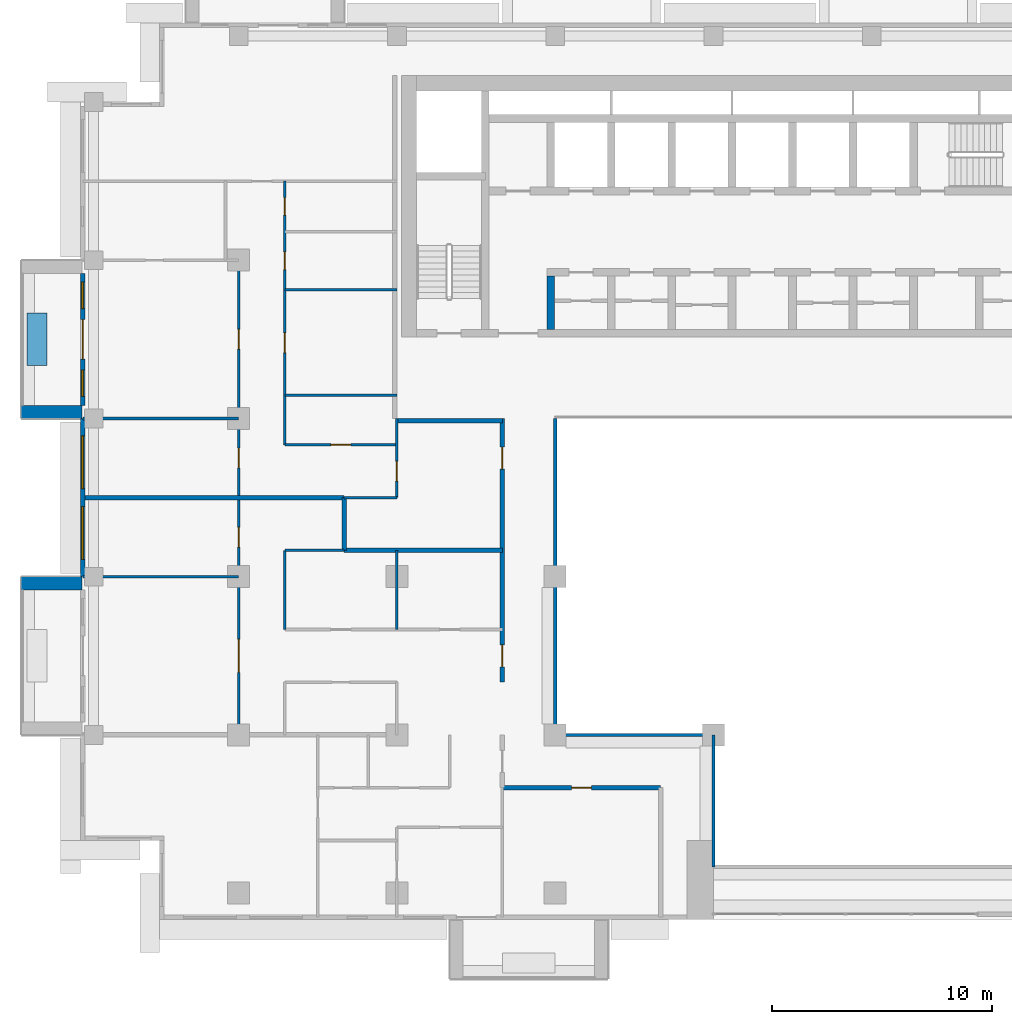
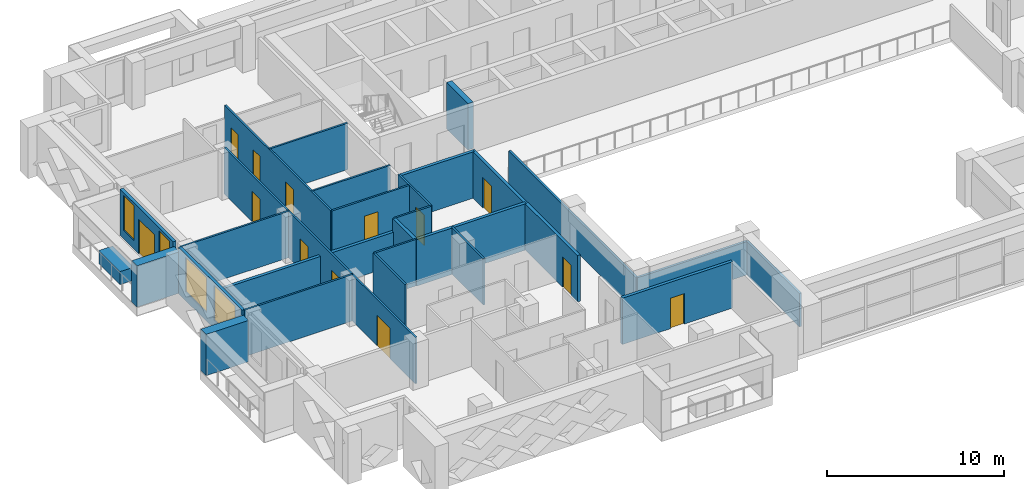
# One storey, part 7 of 20: 27 walls, 13 doors, 4 windows, 17 openings.
"""IFC4 building model written with IfcOpenShell, lengths in metres."""

from ifc_helpers import new_model, si_unit, direction, frame, frame_2d, origin, place, context, subcontext, project, spatial, rectangle, extrude, material, layer, layer_set, type_object, element, fill, save


model = new_model("IFC4")

# Units and contexts
model_context = context("Model", 3, precision=1e-05, world=origin(), true_north=direction((0.0, 1.0)))
body_context = subcontext(model_context, "Body", "Model", "MODEL_VIEW")
ifc_project = project(units=[si_unit("LENGTHUNIT", "METRE"), si_unit("AREAUNIT", "SQUARE_METRE"), si_unit("VOLUMEUNIT", "CUBIC_METRE"), si_unit("PLANEANGLEUNIT", "RADIAN"), si_unit("MASSUNIT", "GRAM", prefix="KILO")], contexts=[model_context])

# Site, building, storey
site_placement = place(None, origin())
site = spatial("IfcSite", under=ifc_project, at=site_placement, CompositionType="ELEMENT")
building_placement = place(site_placement, origin())
building = spatial("IfcBuilding", under=site, at=building_placement, Name="Saffron Iwan Residences", CompositionType="ELEMENT")
storey_placement = place(building_placement, frame((0.0, 0.0, 153.5)))
storey = spatial("IfcBuildingStorey", under=building, at=storey_placement, Name="L40", CompositionType="ELEMENT", Elevation=153.5)

# Walls
ifc_material_1 = material(Name="Fire-rated glazing", Category="glass")
ifc_layer_1 = layer(ifc_material_1, 0.14990234375)
ifc_layer_set_1 = layer_set([ifc_layer_1], Name="Fire-rated glazing")
wall_type_1 = type_object("IfcWallType", Name="Atrium glazed screen 150", PredefinedType="SOLIDWALL", material=ifc_layer_set_1)
wall_1_placement = place(storey_placement, frame((36.0, 48.0, 0.0), z_axis=(0.0, 0.0, 1.0), x_axis=(1.0, 0.0, 0.0)))
element("IfcWall", 1, at=wall_1_placement, inside=storey, type_object=wall_type_1, Name="W-L40-SCREEN-h48-36", PredefinedType="SOLIDWALL", context=body_context, shape_type="SweptSolid", body=[
    extrude(rectangle(XDim=7.199951171875, YDim=0.14990234375, at=frame_2d((3.60009765625, 0.0))), origin(), (0.0, 0.0, 1.0), 2.300048828125),
])
wall_2_placement = place(storey_placement, frame((36.0, 48.0, 0.0), z_axis=(0.0, 0.0, 1.0), x_axis=(0.0, 1.0, 0.0)))
element("IfcWall", 2, at=wall_2_placement, inside=storey, type_object=wall_type_1, Name="W-L40-SCREEN-v36-48", PredefinedType="SOLIDWALL", context=body_context, shape_type="SweptSolid", body=[
    extrude(rectangle(XDim=14.39990234375, YDim=0.14990234375, at=frame_2d((7.199951171875, 0.0))), origin(), (0.0, 0.0, 1.0), 2.300048828125),
])
wall_3_placement = place(storey_placement, frame((43.199951171875, 42.0, 0.0), z_axis=(0.0, 0.0, 1.0), x_axis=(0.0, 1.0, 0.0)))
element("IfcWall", 3, at=wall_3_placement, inside=storey, type_object=wall_type_1, Name="W-L40-SCREEN-v43.2-42", PredefinedType="SOLIDWALL", context=body_context, shape_type="SweptSolid", body=[
    extrude(rectangle(XDim=6.0, YDim=0.14990234375, at=frame_2d((3.0, 0.0))), origin(), (0.0, 0.0, 1.0), 2.300048828125),
])
ifc_material_2 = material(Name="Concrete C50/60 white painted", Category="concrete")
ifc_layer_2 = layer(ifc_material_2, 0.60009765625)
ifc_layer_set_2 = layer_set([ifc_layer_2], Name="Concrete C50/60 white painted")
wall_type_2 = type_object("IfcWallType", Name="BALCONY FIN 600", PredefinedType="SOLIDWALL", material=ifc_layer_set_2)
for number, where, z_axis, x_axis, name in (
    (4, (14.47509765625, 62.699951171875, 0.0), (0.0, 0.0, 1.0), (-1.0, 0.0, 0.0), "Balcony fin L40 F8-0b"),
    (5, (14.47509765625, 54.89990234375, 0.0), (0.0, 0.0, 1.0), (-1.0, 0.0, 0.0), "Balcony fin L40 F8-1a"),
):
    element("IfcWall", number, at=place(storey_placement, frame(where, z_axis=z_axis, x_axis=x_axis)), inside=storey, type_object=wall_type_2, Name=name, PredefinedType="SOLIDWALL", context=body_context, shape_type="SweptSolid", body=[
        extrude(rectangle(XDim=2.775146484375, YDim=0.60009765625, at=frame_2d((1.3876953125, 0.0))), origin(), (0.0, 0.0, 1.0), 2.85009765625),
    ])
ifc_material_3 = material(Name="Concrete C35/45 white painted", Category="concrete")
ifc_layer_3 = layer(ifc_material_3, 0.14990234375)
ifc_layer_set_3 = layer_set([ifc_layer_3], Name="Concrete C35/45 white painted")
wall_type_3 = type_object("IfcWallType", Name="BALCONY PLANTER", PredefinedType="SOLIDWALL", material=ifc_layer_set_3)
wall_4_placement = place(storey_placement, frame((12.425048828125, 67.199951171875, 0.0), z_axis=(0.0, 0.0, 1.0), x_axis=(0.0, -1.0, 0.0)))
element("IfcWall", 6, at=wall_4_placement, inside=storey, type_object=wall_type_3, Name="PLANTER L40 F8-0", PredefinedType="SOLIDWALL", context=body_context, shape_type="SweptSolid", body=[
    extrude(rectangle(XDim=2.39990234375, YDim=0.89990234375, at=frame_2d((1.199951171875, 0.0))), origin(), (0.0, 0.0, 1.0), 0.89990234375),
])

# Wall, openings, door, windows
ifc_material_4 = material(Name="Concrete C40/50", Category="concrete")
ifc_layer_4 = layer(ifc_material_4, 0.199951171875)
ifc_layer_set_4 = layer_set([ifc_layer_4], Name="Concrete C40/50")
wall_type_4 = type_object("IfcWallType", Name="EXTERNAL WALL 200", PredefinedType="SOLIDWALL", material=ifc_layer_set_4)
wall_5_placement = place(storey_placement, frame((14.5, 69.0, 0.0), z_axis=(0.0, 0.0, 1.0), x_axis=(0.0, -1.0, 0.0)))
wall_5 = element("IfcWall", 7, at=wall_5_placement, inside=storey, type_object=wall_type_4, Name="External wall L40 F8.1", PredefinedType="SOLIDWALL", context=body_context, shape_type="SweptSolid", body=[
    extrude(rectangle(XDim=6.0, YDim=0.199951171875, at=frame_2d((3.0, 0.0))), origin(), (0.0, 0.0, 1.0), 3.199951171875),
])
opening_1_placement = place(wall_5_placement, frame((2.10009765625, 0.0, 0.0)))
opening_1 = element("IfcOpeningElement", 8, at=opening_1_placement, cuts=wall_5, Name="Opening BD1", PredefinedType="OPENING", context=body_context, shape_type="SweptSolid", body=[
    extrude(rectangle(XDim=1.800048828125, YDim=2.39990234375, at=frame_2d((0.89990234375, 1.199951171875))), frame((0.0, 0.10986328125, 0.0), z_axis=(0.0, -1.0, 0.0), x_axis=(1.0, 0.0, 0.0)), (0.0, 0.0, 1.0), 0.219970703125),
])
opening_2_placement = place(wall_5_placement, frame((0.39990234375, 0.0, 0.60009765625)))
opening_2 = element("IfcOpeningElement", 9, at=opening_2_placement, cuts=wall_5, Name="Opening W3", PredefinedType="OPENING", context=body_context, shape_type="SweptSolid", body=[
    extrude(rectangle(XDim=1.199951171875, YDim=2.39990234375, at=frame_2d((0.60009765625, 1.199951171875))), frame((0.0, 0.10986328125, 0.0), z_axis=(0.0, -1.0, 0.0), x_axis=(1.0, 0.0, 0.0)), (0.0, 0.0, 1.0), 0.219970703125),
])
opening_3_placement = place(wall_5_placement, frame((4.39990234375, 0.0, 0.60009765625)))
opening_3 = element("IfcOpeningElement", 10, at=opening_3_placement, cuts=wall_5, Name="Opening W3", PredefinedType="OPENING", context=body_context, shape_type="SweptSolid", body=[
    extrude(rectangle(XDim=1.199951171875, YDim=2.39990234375, at=frame_2d((0.60009765625, 1.199951171875))), frame((0.0, 0.10986328125, 0.0), z_axis=(0.0, -1.0, 0.0), x_axis=(1.0, 0.0, 0.0)), (0.0, 0.0, 1.0), 0.219970703125),
])
ifc_material_5 = material(Name="Clear glass, laminated double glazed", Category="glass")
door_type_1 = type_object("IfcDoorType", Name="BALCONY DOOR 1800 x 2400", OperationType="DOUBLE_DOOR_SLIDING", PredefinedType="DOOR", material=ifc_material_5)
door_1_placement = place(opening_1_placement, origin())
door_1 = element("IfcDoor", 11, at=door_1_placement, inside=storey, type_object=door_type_1, Name="Balcony door L40 F8.0", OperationType="DOUBLE_DOOR_SLIDING", OverallHeight=2.39990234375, OverallWidth=1.800048828125, PredefinedType="DOOR", context=body_context, shape_type="SweptSolid", body=[
    extrude(rectangle(XDim=1.800048828125, YDim=2.39990234375, at=frame_2d((0.89990234375, 1.199951171875))), frame((0.0, 0.02490234375, 0.0), z_axis=(0.0, -1.0, 0.0), x_axis=(1.0, 0.0, 0.0)), (0.0, 0.0, 1.0), 0.050048828125),
])
fill(opening_1, door_1)
window_type_1 = type_object("IfcWindowType", Name="WINDOW 1200 x 2400", PartitioningType="SINGLE_PANEL", PredefinedType="WINDOW", material=ifc_material_5)
window_1_placement = place(opening_2_placement, origin())
window_1 = element("IfcWindow", 12, at=window_1_placement, inside=storey, type_object=window_type_1, Name="Window L40 F8.1", OverallHeight=2.39990234375, OverallWidth=1.199951171875, PartitioningType="SINGLE_PANEL", PredefinedType="WINDOW", context=body_context, shape_type="SweptSolid", body=[
    extrude(rectangle(XDim=1.199951171875, YDim=2.39990234375, at=frame_2d((0.60009765625, 1.199951171875))), frame((0.0, 0.030029296875, 0.0), z_axis=(0.0, -1.0, 0.0), x_axis=(1.0, 0.0, 0.0)), (0.0, 0.0, 1.0), 0.06005859375),
])
fill(opening_2, window_1)
window_2_placement = place(opening_3_placement, origin())
window_2 = element("IfcWindow", 13, at=window_2_placement, inside=storey, type_object=window_type_1, Name="Window L40 F8.2", OverallHeight=2.39990234375, OverallWidth=1.199951171875, PartitioningType="SINGLE_PANEL", PredefinedType="WINDOW", context=body_context, shape_type="SweptSolid", body=[
    extrude(rectangle(XDim=1.199951171875, YDim=2.39990234375, at=frame_2d((0.60009765625, 1.199951171875))), frame((0.0, 0.030029296875, 0.0), z_axis=(0.0, -1.0, 0.0), x_axis=(1.0, 0.0, 0.0)), (0.0, 0.0, 1.0), 0.06005859375),
])
fill(opening_3, window_2)

# Wall, openings, windows
wall_6_placement = place(storey_placement, frame((14.5, 62.39990234375, 0.0), z_axis=(0.0, 0.0, 1.0), x_axis=(0.0, -1.0, 0.0)))
wall_6 = element("IfcWall", 14, at=wall_6_placement, inside=storey, type_object=wall_type_4, Name="External wall L40 F8.2", PredefinedType="SOLIDWALL", context=body_context, shape_type="SweptSolid", body=[
    extrude(rectangle(XDim=7.199951171875, YDim=0.199951171875, at=frame_2d((3.60009765625, 0.0))), origin(), (0.0, 0.0, 1.0), 3.199951171875),
])
opening_4_placement = place(wall_6_placement, frame((4.012451171875, 0.0, 0.60009765625)))
opening_4 = element("IfcOpeningElement", 15, at=opening_4_placement, cuts=wall_6, Name="Opening W1", PredefinedType="OPENING", context=body_context, shape_type="SweptSolid", body=[
    extrude(rectangle(XDim=2.39990234375, YDim=2.39990234375, at=frame_2d((1.199951171875, 1.199951171875))), frame((0.0, 0.10986328125, 0.0), z_axis=(0.0, -1.0, 0.0), x_axis=(1.0, 0.0, 0.0)), (0.0, 0.0, 1.0), 0.219970703125),
])
opening_5_placement = place(wall_6_placement, frame((0.78759765625, 0.0, 0.60009765625)))
opening_5 = element("IfcOpeningElement", 16, at=opening_5_placement, cuts=wall_6, Name="Opening W1", PredefinedType="OPENING", context=body_context, shape_type="SweptSolid", body=[
    extrude(rectangle(XDim=2.39990234375, YDim=2.39990234375, at=frame_2d((1.199951171875, 1.199951171875))), frame((0.0, 0.10986328125, 0.0), z_axis=(0.0, -1.0, 0.0), x_axis=(1.0, 0.0, 0.0)), (0.0, 0.0, 1.0), 0.219970703125),
])
window_type_2 = type_object("IfcWindowType", Name="WINDOW 2400 x 2400", PartitioningType="DOUBLE_PANEL_VERTICAL", PredefinedType="WINDOW", material=ifc_material_5)
window_3_placement = place(opening_4_placement, origin())
window_3 = element("IfcWindow", 17, at=window_3_placement, inside=storey, type_object=window_type_2, Name="Window L40 F8.0", OverallHeight=2.39990234375, OverallWidth=2.39990234375, PartitioningType="DOUBLE_PANEL_VERTICAL", PredefinedType="WINDOW", context=body_context, shape_type="SweptSolid", body=[
    extrude(rectangle(XDim=2.39990234375, YDim=2.39990234375, at=frame_2d((1.199951171875, 1.199951171875))), frame((0.0, 0.030029296875, 0.0), z_axis=(0.0, -1.0, 0.0), x_axis=(1.0, 0.0, 0.0)), (0.0, 0.0, 1.0), 0.06005859375),
])
fill(opening_4, window_3)
window_4_placement = place(opening_5_placement, origin())
window_4 = element("IfcWindow", 18, at=window_4_placement, inside=storey, type_object=window_type_2, Name="Window L40 F8.1", OverallHeight=2.39990234375, OverallWidth=2.39990234375, PartitioningType="DOUBLE_PANEL_VERTICAL", PredefinedType="WINDOW", context=body_context, shape_type="SweptSolid", body=[
    extrude(rectangle(XDim=2.39990234375, YDim=2.39990234375, at=frame_2d((1.199951171875, 1.199951171875))), frame((0.0, 0.030029296875, 0.0), z_axis=(0.0, -1.0, 0.0), x_axis=(1.0, 0.0, 0.0)), (0.0, 0.0, 1.0), 0.06005859375),
])
fill(opening_5, window_4)

# Walls
ifc_material_6 = material(Name="Fire-rated gypsum board wall")
ifc_layer_5 = layer(ifc_material_6, 0.199951171875)
ifc_layer_set_5 = layer_set([ifc_layer_5], Name="Fire-rated gypsum board wall")
wall_type_5 = type_object("IfcWallType", Name="Flat demising wall 200", PredefinedType="SOLIDWALL", material=ifc_layer_set_5)
wall_7_placement = place(storey_placement, frame((26.39990234375, 56.39990234375, 0.0), z_axis=(0.0, 0.0, 1.0), x_axis=(1.0, 0.0, 0.0)))
element("IfcWall", 19, at=wall_7_placement, inside=storey, type_object=wall_type_5, Name="W-L40-DEMISE-h56.4-26.4", PredefinedType="SOLIDWALL", context=body_context, shape_type="SweptSolid", body=[
    extrude(rectangle(XDim=7.2001953125, YDim=0.199951171875, at=frame_2d((3.60009765625, 0.0))), origin(), (0.0, 0.0, 1.0), 3.199951171875),
])
wall_8_placement = place(storey_placement, frame((14.52490234375, 58.800048828125, 0.0), z_axis=(0.0, 0.0, 1.0), x_axis=(1.0, 0.0, 0.0)))
element("IfcWall", 20, at=wall_8_placement, inside=storey, type_object=wall_type_5, Name="W-L40-DEMISE-h58.8-14.525", PredefinedType="SOLIDWALL", context=body_context, shape_type="SweptSolid", body=[
    extrude(rectangle(XDim=11.875, YDim=0.199951171875, at=frame_2d((5.9375, 0.0))), origin(), (0.0, 0.0, 1.0), 2.300048828125),
])
wall_9_placement = place(storey_placement, frame((26.39990234375, 56.39990234375, 0.0), z_axis=(0.0, 0.0, 1.0), x_axis=(0.0, 1.0, 0.0)))
element("IfcWall", 21, at=wall_9_placement, inside=storey, type_object=wall_type_5, Name="W-L40-DEMISE-v26.4-56.4", PredefinedType="SOLIDWALL", context=body_context, shape_type="SweptSolid", body=[
    extrude(rectangle(XDim=2.400146484375, YDim=0.199951171875, at=frame_2d((1.2001953125, 0.0))), origin(), (0.0, 0.0, 1.0), 3.199951171875),
])
ifc_material_7 = material(Name="Gypsum board partition")
ifc_layer_6 = layer(ifc_material_7, 0.1201171875)
ifc_layer_set_6 = layer_set([ifc_layer_6], Name="Gypsum board partition")
wall_type_6 = type_object("IfcWallType", Name="Flat partition 120", PredefinedType="PARTITIONING", material=ifc_layer_set_6)
wall_10_placement = place(storey_placement, frame((14.52490234375, 55.199951171875, 0.0), z_axis=(0.0, 0.0, 1.0), x_axis=(1.0, 0.0, 0.0)))
element("IfcWall", 22, at=wall_10_placement, inside=storey, type_object=wall_type_6, Name="W-L40-PART-h55.2-14.525", PredefinedType="PARTITIONING", context=body_context, shape_type="SweptSolid", body=[
    extrude(rectangle(XDim=7.0751953125, YDim=0.1201171875, at=frame_2d((3.53759765625, 0.0))), origin(), (0.0, 0.0, 1.0), 3.199951171875),
])
wall_11_placement = place(storey_placement, frame((23.699951171875, 56.39990234375, 0.0), z_axis=(0.0, 0.0, 1.0), x_axis=(1.0, 0.0, 0.0)))
element("IfcWall", 23, at=wall_11_placement, inside=storey, type_object=wall_type_6, Name="W-L40-PART-h56.4-23.7", PredefinedType="PARTITIONING", context=body_context, shape_type="SweptSolid", body=[
    extrude(rectangle(XDim=2.699951171875, YDim=0.1201171875, at=frame_2d((1.35009765625, 0.0))), origin(), (0.0, 0.0, 1.0), 3.199951171875),
])
wall_12_placement = place(storey_placement, frame((26.39990234375, 58.800048828125, 0.0), z_axis=(0.0, 0.0, 1.0), x_axis=(1.0, 0.0, 0.0)))
element("IfcWall", 24, at=wall_12_placement, inside=storey, type_object=wall_type_6, Name="W-L40-PART-h58.8-26.4", PredefinedType="PARTITIONING", context=body_context, shape_type="SweptSolid", body=[
    extrude(rectangle(XDim=2.400146484375, YDim=0.1201171875, at=frame_2d((1.2001953125, 0.0))), origin(), (0.0, 0.0, 1.0), 3.199951171875),
])

# Wall, opening, door
wall_13_placement = place(storey_placement, frame((23.699951171875, 61.199951171875, 0.0), z_axis=(0.0, 0.0, 1.0), x_axis=(1.0, 0.0, 0.0)))
wall_13 = element("IfcWall", 25, at=wall_13_placement, inside=storey, type_object=wall_type_6, Name="W-L40-PART-h61.2-23.7", PredefinedType="PARTITIONING", context=body_context, shape_type="SweptSolid", body=[
    extrude(rectangle(XDim=5.10009765625, YDim=0.1201171875, at=frame_2d((2.550048828125, 0.0))), origin(), (0.0, 0.0, 1.0), 3.199951171875),
])
opening_6_placement = place(wall_13_placement, frame((2.10009765625, 0.0, 0.0)))
opening_6 = element("IfcOpeningElement", 26, at=opening_6_placement, cuts=wall_13, Name="Opening FD2", PredefinedType="OPENING", context=body_context, shape_type="SweptSolid", body=[
    extrude(rectangle(XDim=0.89990234375, YDim=2.10009765625, at=frame_2d((0.449951171875, 1.050048828125))), frame((0.0, 0.070068359375, 0.0), z_axis=(0.0, -1.0, 0.0), x_axis=(1.0, 0.0, 0.0)), (0.0, 0.0, 1.0), 0.14013671875),
])
ifc_material_8 = material(Name="Timber door", Category="wood")
door_type_2 = type_object("IfcDoorType", Name="Flat door 900", OperationType="NOTDEFINED", PredefinedType="DOOR", material=ifc_material_8)
door_2_placement = place(opening_6_placement, origin())
door_2 = element("IfcDoor", 27, at=door_2_placement, inside=storey, type_object=door_type_2, Name="Door L40-027", OperationType="SINGLE_SWING_RIGHT", OverallHeight=2.10009765625, OverallWidth=0.89990234375, PredefinedType="DOOR", context=body_context, shape_type="SweptSolid", body=[
    extrude(rectangle(XDim=0.89990234375, YDim=2.10009765625, at=frame_2d((0.449951171875, 1.050048828125))), frame((0.0, 0.02490234375, 0.0), z_axis=(0.0, -1.0, 0.0), x_axis=(1.0, 0.0, 0.0)), (0.0, 0.0, 1.0), 0.050048828125),
])
fill(opening_6, door_2)

# Walls
wall_14_placement = place(storey_placement, frame((14.52490234375, 62.39990234375, 0.0), z_axis=(0.0, 0.0, 1.0), x_axis=(1.0, 0.0, 0.0)))
element("IfcWall", 28, at=wall_14_placement, inside=storey, type_object=wall_type_6, Name="W-L40-PART-h62.4-14.525", PredefinedType="PARTITIONING", context=body_context, shape_type="SweptSolid", body=[
    extrude(rectangle(XDim=7.0751953125, YDim=0.1201171875, at=frame_2d((3.53759765625, 0.0))), origin(), (0.0, 0.0, 1.0), 3.199951171875),
])
for number, where, z_axis, x_axis, name in (
    (29, (23.699951171875, 63.449951171875, 0.0), (0.0, 0.0, 1.0), (1.0, 0.0, 0.0), "W-L40-PART-h63.45-23.7"),
    (30, (23.699951171875, 68.25, 0.0), (0.0, 0.0, 1.0), (1.0, 0.0, 0.0), "W-L40-PART-h68.25-23.7"),
):
    element("IfcWall", number, at=place(storey_placement, frame(where, z_axis=z_axis, x_axis=x_axis)), inside=storey, type_object=wall_type_6, Name=name, PredefinedType="PARTITIONING", context=body_context, shape_type="SweptSolid", body=[
        extrude(rectangle(XDim=5.10009765625, YDim=0.1201171875, at=frame_2d((2.550048828125, 0.0))), origin(), (0.0, 0.0, 1.0), 3.199951171875),
    ])

# Wall, openings, doors
wall_15_placement = place(storey_placement, frame((21.60009765625, 48.0, 0.0), z_axis=(0.0, 0.0, 1.0), x_axis=(0.0, 1.0, 0.0)))
wall_15 = element("IfcWall", 31, at=wall_15_placement, inside=storey, type_object=wall_type_6, Name="W-L40-PART-v21.6-48", PredefinedType="PARTITIONING", context=body_context, shape_type="SweptSolid", body=[
    extrude(rectangle(XDim=21.60009765625, YDim=0.1201171875, at=frame_2d((10.800048828125, 0.0))), origin(), (0.0, 0.0, 1.0), 3.199951171875),
])
opening_7_placement = place(wall_15_placement, frame((2.85009765625, 0.0, 0.0)))
opening_7 = element("IfcOpeningElement", 32, at=opening_7_placement, cuts=wall_15, Name="Opening FD4", PredefinedType="OPENING", context=body_context, shape_type="SweptSolid", body=[
    extrude(rectangle(XDim=1.5, YDim=2.10009765625, at=frame_2d((0.75, 1.050048828125))), frame((0.0, 0.070068359375, 0.0), z_axis=(0.0, -1.0, 0.0), x_axis=(1.0, 0.0, 0.0)), (0.0, 0.0, 1.0), 0.14013671875),
])
opening_8_placement = place(wall_15_placement, frame((8.550048828125, 0.0, 0.0)))
opening_8 = element("IfcOpeningElement", 33, at=opening_8_placement, cuts=wall_15, Name="Opening FD2", PredefinedType="OPENING", context=body_context, shape_type="SweptSolid", body=[
    extrude(rectangle(XDim=0.89990234375, YDim=2.10009765625, at=frame_2d((0.449951171875, 1.050048828125))), frame((0.0, 0.070068359375, 0.0), z_axis=(0.0, -1.0, 0.0), x_axis=(1.0, 0.0, 0.0)), (0.0, 0.0, 1.0), 0.14013671875),
])
opening_9_placement = place(wall_15_placement, frame((12.14990234375, 0.0, 0.0)))
opening_9 = element("IfcOpeningElement", 34, at=opening_9_placement, cuts=wall_15, Name="Opening FD2", PredefinedType="OPENING", context=body_context, shape_type="SweptSolid", body=[
    extrude(rectangle(XDim=0.89990234375, YDim=2.10009765625, at=frame_2d((0.449951171875, 1.050048828125))), frame((0.0, 0.070068359375, 0.0), z_axis=(0.0, -1.0, 0.0), x_axis=(1.0, 0.0, 0.0)), (0.0, 0.0, 1.0), 0.14013671875),
])
opening_10_placement = place(wall_15_placement, frame((17.550048828125, 0.0, 0.0)))
opening_10 = element("IfcOpeningElement", 35, at=opening_10_placement, cuts=wall_15, Name="Opening FD2", PredefinedType="OPENING", context=body_context, shape_type="SweptSolid", body=[
    extrude(rectangle(XDim=0.89990234375, YDim=2.10009765625, at=frame_2d((0.449951171875, 1.050048828125))), frame((0.0, 0.070068359375, 0.0), z_axis=(0.0, -1.0, 0.0), x_axis=(1.0, 0.0, 0.0)), (0.0, 0.0, 1.0), 0.14013671875),
])
door_type_3 = type_object("IfcDoorType", Name="Double door 1500", OperationType="NOTDEFINED", PredefinedType="DOOR", material=ifc_material_8)
door_3_placement = place(opening_7_placement, origin())
door_3 = element("IfcDoor", 36, at=door_3_placement, inside=storey, type_object=door_type_3, Name="Door L40-009", OperationType="SINGLE_SWING_RIGHT", OverallHeight=2.10009765625, OverallWidth=1.5, PredefinedType="DOOR", context=body_context, shape_type="SweptSolid", body=[
    extrude(rectangle(XDim=1.5, YDim=2.10009765625, at=frame_2d((0.75, 1.050048828125))), frame((0.0, 0.02490234375, 0.0), z_axis=(0.0, -1.0, 0.0), x_axis=(1.0, 0.0, 0.0)), (0.0, 0.0, 1.0), 0.050048828125),
])
fill(opening_7, door_3)
door_4_placement = place(opening_8_placement, origin())
door_4 = element("IfcDoor", 37, at=door_4_placement, inside=storey, type_object=door_type_2, Name="Door L40-010", OperationType="SINGLE_SWING_LEFT", OverallHeight=2.10009765625, OverallWidth=0.89990234375, PredefinedType="DOOR", context=body_context, shape_type="SweptSolid", body=[
    extrude(rectangle(XDim=0.89990234375, YDim=2.10009765625, at=frame_2d((0.449951171875, 1.050048828125))), frame((0.0, 0.02490234375, 0.0), z_axis=(0.0, -1.0, 0.0), x_axis=(1.0, 0.0, 0.0)), (0.0, 0.0, 1.0), 0.050048828125),
])
fill(opening_8, door_4)
door_5_placement = place(opening_9_placement, origin())
door_5 = element("IfcDoor", 38, at=door_5_placement, inside=storey, type_object=door_type_2, Name="Door L40-023", OperationType="SINGLE_SWING_LEFT", OverallHeight=2.10009765625, OverallWidth=0.89990234375, PredefinedType="DOOR", context=body_context, shape_type="SweptSolid", body=[
    extrude(rectangle(XDim=0.89990234375, YDim=2.10009765625, at=frame_2d((0.449951171875, 1.050048828125))), frame((0.0, 0.02490234375, 0.0), z_axis=(0.0, -1.0, 0.0), x_axis=(1.0, 0.0, 0.0)), (0.0, 0.0, 1.0), 0.050048828125),
])
fill(opening_9, door_5)
door_6_placement = place(opening_10_placement, origin())
door_6 = element("IfcDoor", 39, at=door_6_placement, inside=storey, type_object=door_type_2, Name="Door L40-024", OperationType="SINGLE_SWING_RIGHT", OverallHeight=2.10009765625, OverallWidth=0.89990234375, PredefinedType="DOOR", context=body_context, shape_type="SweptSolid", body=[
    extrude(rectangle(XDim=0.89990234375, YDim=2.10009765625, at=frame_2d((0.449951171875, 1.050048828125))), frame((0.0, 0.02490234375, 0.0), z_axis=(0.0, -1.0, 0.0), x_axis=(1.0, 0.0, 0.0)), (0.0, 0.0, 1.0), 0.050048828125),
])
fill(opening_10, door_6)

# Wall
wall_16_placement = place(storey_placement, frame((23.699951171875, 52.800048828125, 0.0), z_axis=(0.0, 0.0, 1.0), x_axis=(0.0, 1.0, 0.0)))
element("IfcWall", 40, at=wall_16_placement, inside=storey, type_object=wall_type_6, Name="W-L40-PART-v23.7-52.8", PredefinedType="PARTITIONING", context=body_context, shape_type="SweptSolid", body=[
    extrude(rectangle(XDim=3.599853515625, YDim=0.1201171875, at=frame_2d((1.7998046875, 0.0))), origin(), (0.0, 0.0, 1.0), 3.199951171875),
])

# Wall, openings, doors
wall_17_placement = place(storey_placement, frame((23.699951171875, 61.199951171875, 0.0), z_axis=(0.0, 0.0, 1.0), x_axis=(0.0, 1.0, 0.0)))
wall_17 = element("IfcWall", 41, at=wall_17_placement, inside=storey, type_object=wall_type_6, Name="W-L40-PART-v23.7-61.2", PredefinedType="PARTITIONING", context=body_context, shape_type="SweptSolid", body=[
    extrude(rectangle(XDim=12.0, YDim=0.1201171875, at=frame_2d((6.0, 0.0))), origin(), (0.0, 0.0, 1.0), 3.199951171875),
])
opening_11_placement = place(wall_17_placement, frame((4.199951171875, 0.0, 0.0)))
opening_11 = element("IfcOpeningElement", 42, at=opening_11_placement, cuts=wall_17, Name="Opening FD2", PredefinedType="OPENING", context=body_context, shape_type="SweptSolid", body=[
    extrude(rectangle(XDim=0.89990234375, YDim=2.10009765625, at=frame_2d((0.449951171875, 1.050048828125))), frame((0.0, 0.070068359375, 0.0), z_axis=(0.0, -1.0, 0.0), x_axis=(1.0, 0.0, 0.0)), (0.0, 0.0, 1.0), 0.14013671875),
])
opening_12_placement = place(wall_17_placement, frame((7.97509765625, 0.0, 0.0)))
opening_12 = element("IfcOpeningElement", 43, at=opening_12_placement, cuts=wall_17, Name="Opening FD3", PredefinedType="OPENING", context=body_context, shape_type="SweptSolid", body=[
    extrude(rectangle(XDim=0.800048828125, YDim=2.10009765625, at=frame_2d((0.39990234375, 1.050048828125))), frame((0.0, 0.070068359375, 0.0), z_axis=(0.0, -1.0, 0.0), x_axis=(1.0, 0.0, 0.0)), (0.0, 0.0, 1.0), 0.14013671875),
])
opening_13_placement = place(wall_17_placement, frame((10.449951171875, 0.0, 0.0)))
opening_13 = element("IfcOpeningElement", 44, at=opening_13_placement, cuts=wall_17, Name="Opening FD3", PredefinedType="OPENING", context=body_context, shape_type="SweptSolid", body=[
    extrude(rectangle(XDim=0.800048828125, YDim=2.10009765625, at=frame_2d((0.39990234375, 1.050048828125))), frame((0.0, 0.070068359375, 0.0), z_axis=(0.0, -1.0, 0.0), x_axis=(1.0, 0.0, 0.0)), (0.0, 0.0, 1.0), 0.14013671875),
])
door_type_4 = type_object("IfcDoorType", Name="Bathroom door 800", OperationType="NOTDEFINED", PredefinedType="DOOR", material=ifc_material_8)
door_7_placement = place(opening_12_placement, origin())
door_7 = element("IfcDoor", 45, at=door_7_placement, inside=storey, type_object=door_type_4, Name="Door L40-029", OperationType="SINGLE_SWING_LEFT", OverallHeight=2.10009765625, OverallWidth=0.800048828125, PredefinedType="DOOR", context=body_context, shape_type="SweptSolid", body=[
    extrude(rectangle(XDim=0.800048828125, YDim=2.10009765625, at=frame_2d((0.39990234375, 1.050048828125))), frame((0.0, 0.02490234375, 0.0), z_axis=(0.0, -1.0, 0.0), x_axis=(1.0, 0.0, 0.0)), (0.0, 0.0, 1.0), 0.050048828125),
])
fill(opening_12, door_7)
door_8_placement = place(opening_13_placement, origin())
door_8 = element("IfcDoor", 46, at=door_8_placement, inside=storey, type_object=door_type_4, Name="Door L40-030", OperationType="SINGLE_SWING_RIGHT", OverallHeight=2.10009765625, OverallWidth=0.800048828125, PredefinedType="DOOR", context=body_context, shape_type="SweptSolid", body=[
    extrude(rectangle(XDim=0.800048828125, YDim=2.10009765625, at=frame_2d((0.39990234375, 1.050048828125))), frame((0.0, 0.02490234375, 0.0), z_axis=(0.0, -1.0, 0.0), x_axis=(1.0, 0.0, 0.0)), (0.0, 0.0, 1.0), 0.050048828125),
])
fill(opening_13, door_8)
door_9_placement = place(opening_11_placement, origin())
door_9 = element("IfcDoor", 47, at=door_9_placement, inside=storey, type_object=door_type_2, Name="Door L40-028", OperationType="SINGLE_SWING_LEFT", OverallHeight=2.10009765625, OverallWidth=0.89990234375, PredefinedType="DOOR", context=body_context, shape_type="SweptSolid", body=[
    extrude(rectangle(XDim=0.89990234375, YDim=2.10009765625, at=frame_2d((0.449951171875, 1.050048828125))), frame((0.0, 0.02490234375, 0.0), z_axis=(0.0, -1.0, 0.0), x_axis=(1.0, 0.0, 0.0)), (0.0, 0.0, 1.0), 0.050048828125),
])
fill(opening_11, door_9)

# Wall
wall_18_placement = place(storey_placement, frame((28.800048828125, 52.800048828125, 0.0), z_axis=(0.0, 0.0, 1.0), x_axis=(0.0, 1.0, 0.0)))
element("IfcWall", 48, at=wall_18_placement, inside=storey, type_object=wall_type_6, Name="W-L40-PART-v28.8-52.8", PredefinedType="PARTITIONING", context=body_context, shape_type="SweptSolid", body=[
    extrude(rectangle(XDim=3.599853515625, YDim=0.1201171875, at=frame_2d((1.7998046875, 0.0))), origin(), (0.0, 0.0, 1.0), 3.199951171875),
])

# Wall, opening, door
wall_19_placement = place(storey_placement, frame((28.800048828125, 58.800048828125, 0.0), z_axis=(0.0, 0.0, 1.0), x_axis=(0.0, 1.0, 0.0)))
wall_19 = element("IfcWall", 49, at=wall_19_placement, inside=storey, type_object=wall_type_6, Name="W-L40-PART-v28.8-58.8", PredefinedType="PARTITIONING", context=body_context, shape_type="SweptSolid", body=[
    extrude(rectangle(XDim=3.599853515625, YDim=0.1201171875, at=frame_2d((1.7998046875, 0.0))), origin(), (0.0, 0.0, 1.0), 3.199951171875),
])
opening_14_placement = place(wall_19_placement, frame((0.75, 0.0, 0.0)))
opening_14 = element("IfcOpeningElement", 50, at=opening_14_placement, cuts=wall_19, Name="Opening FD2", PredefinedType="OPENING", context=body_context, shape_type="SweptSolid", body=[
    extrude(rectangle(XDim=0.89990234375, YDim=2.10009765625, at=frame_2d((0.449951171875, 1.050048828125))), frame((0.0, 0.070068359375, 0.0), z_axis=(0.0, -1.0, 0.0), x_axis=(1.0, 0.0, 0.0)), (0.0, 0.0, 1.0), 0.14013671875),
])
door_10_placement = place(opening_14_placement, origin())
door_10 = element("IfcDoor", 51, at=door_10_placement, inside=storey, type_object=door_type_2, Name="Door L40-021", OperationType="SINGLE_SWING_RIGHT", OverallHeight=2.10009765625, OverallWidth=0.89990234375, PredefinedType="DOOR", context=body_context, shape_type="SweptSolid", body=[
    extrude(rectangle(XDim=0.89990234375, YDim=2.10009765625, at=frame_2d((0.449951171875, 1.050048828125))), frame((0.0, 0.02490234375, 0.0), z_axis=(0.0, -1.0, 0.0), x_axis=(1.0, 0.0, 0.0)), (0.0, 0.0, 1.0), 0.050048828125),
])
fill(opening_14, door_10)

ifc_layer_7 = layer(ifc_material_6, 0.199951171875)
ifc_layer_set_7 = layer_set([ifc_layer_7], Name="Fire-rated gypsum board wall")
wall_type_7 = type_object("IfcWallType", Name="Gallery wall 200", PredefinedType="SOLIDWALL", material=ifc_layer_set_7)
wall_20_placement = place(storey_placement, frame((33.60009765625, 45.60009765625, 0.0), z_axis=(0.0, 0.0, 1.0), x_axis=(1.0, 0.0, 0.0)))
wall_20 = element("IfcWall", 52, at=wall_20_placement, inside=storey, type_object=wall_type_7, Name="W-L40-CORR-h45.6-33.6", PredefinedType="SOLIDWALL", context=body_context, shape_type="SweptSolid", body=[
    extrude(rectangle(XDim=7.199951171875, YDim=0.199951171875, at=frame_2d((3.60009765625, 0.0))), origin(), (0.0, 0.0, 1.0), 3.199951171875),
])
opening_15_placement = place(wall_20_placement, frame((3.14990234375, 0.0, 0.0)))
opening_15 = element("IfcOpeningElement", 53, at=opening_15_placement, cuts=wall_20, Name="Opening FD2", PredefinedType="OPENING", context=body_context, shape_type="SweptSolid", body=[
    extrude(rectangle(XDim=0.89990234375, YDim=2.10009765625, at=frame_2d((0.449951171875, 1.050048828125))), frame((0.0, 0.10986328125, 0.0), z_axis=(0.0, -1.0, 0.0), x_axis=(1.0, 0.0, 0.0)), (0.0, 0.0, 1.0), 0.219970703125),
])
door_11_placement = place(opening_15_placement, origin())
door_11 = element("IfcDoor", 54, at=door_11_placement, inside=storey, type_object=door_type_2, Name="Door L40-007", OperationType="SINGLE_SWING_LEFT", OverallHeight=2.10009765625, OverallWidth=0.89990234375, PredefinedType="DOOR", context=body_context, shape_type="SweptSolid", body=[
    extrude(rectangle(XDim=0.89990234375, YDim=2.10009765625, at=frame_2d((0.449951171875, 1.050048828125))), frame((0.0, 0.02490234375, 0.0), z_axis=(0.0, -1.0, 0.0), x_axis=(1.0, 0.0, 0.0)), (0.0, 0.0, 1.0), 0.050048828125),
])
fill(opening_15, door_11)

# Wall
wall_21_placement = place(storey_placement, frame((28.800048828125, 62.300048828125, 0.0), z_axis=(0.0, 0.0, 1.0), x_axis=(1.0, 0.0, 0.0)))
element("IfcWall", 55, at=wall_21_placement, inside=storey, type_object=wall_type_7, Name="W-L40-CORR-h62.4-28.8", PredefinedType="SOLIDWALL", context=body_context, shape_type="SweptSolid", body=[
    extrude(rectangle(XDim=4.800048828125, YDim=0.199951171875, at=frame_2d((2.39990234375, 0.0))), origin(), (0.0, 0.0, 1.0), 3.199951171875),
])

# Wall, openings, doors
wall_22_placement = place(storey_placement, frame((33.60009765625, 50.39990234375, 0.0), z_axis=(0.0, 0.0, 1.0), x_axis=(0.0, 1.0, 0.0)))
wall_22 = element("IfcWall", 56, at=wall_22_placement, inside=storey, type_object=wall_type_7, Name="W-L40-CORR-v33.6-50.4", PredefinedType="SOLIDWALL", context=body_context, shape_type="SweptSolid", body=[
    extrude(rectangle(XDim=12.0, YDim=0.199951171875, at=frame_2d((6.0, 0.0))), origin(), (0.0, 0.0, 1.0), 3.199951171875),
])
opening_16_placement = place(wall_22_placement, frame((0.699951171875, 0.0, 0.0)))
opening_16 = element("IfcOpeningElement", 57, at=opening_16_placement, cuts=wall_22, Name="Opening FD1", PredefinedType="OPENING", context=body_context, shape_type="SweptSolid", body=[
    extrude(rectangle(XDim=1.0, YDim=2.10009765625, at=frame_2d((0.5, 1.050048828125))), frame((0.0, 0.10986328125, 0.0), z_axis=(0.0, -1.0, 0.0), x_axis=(1.0, 0.0, 0.0)), (0.0, 0.0, 1.0), 0.219970703125),
])
opening_17_placement = place(wall_22_placement, frame((9.699951171875, 0.0, 0.0)))
opening_17 = element("IfcOpeningElement", 58, at=opening_17_placement, cuts=wall_22, Name="Opening FD5", PredefinedType="OPENING", context=body_context, shape_type="SweptSolid", body=[
    extrude(rectangle(XDim=1.0, YDim=2.10009765625, at=frame_2d((0.5, 1.050048828125))), frame((0.0, 0.10986328125, 0.0), z_axis=(0.0, -1.0, 0.0), x_axis=(1.0, 0.0, 0.0)), (0.0, 0.0, 1.0), 0.219970703125),
])
ifc_material_9 = material(Name="Fire-rated timber door", Category="wood")
door_type_5 = type_object("IfcDoorType", Name="FD30S flat entrance door 1000", OperationType="NOTDEFINED", PredefinedType="DOOR", material=ifc_material_9)
door_12_placement = place(opening_16_placement, origin())
door_12 = element("IfcDoor", 59, at=door_12_placement, inside=storey, type_object=door_type_5, Name="Door L40-008", OperationType="SINGLE_SWING_LEFT", OverallHeight=2.10009765625, OverallWidth=1.0, PredefinedType="DOOR", context=body_context, shape_type="SweptSolid", body=[
    extrude(rectangle(XDim=1.0, YDim=2.10009765625, at=frame_2d((0.5, 1.050048828125))), frame((0.0, 0.02490234375, 0.0), z_axis=(0.0, -1.0, 0.0), x_axis=(1.0, 0.0, 0.0)), (0.0, 0.0, 1.0), 0.050048828125),
])
fill(opening_16, door_12)
door_type_6 = type_object("IfcDoorType", Name="Lobby door 1000", OperationType="NOTDEFINED", PredefinedType="DOOR", material=ifc_material_9)
door_13_placement = place(opening_17_placement, origin())
door_13 = element("IfcDoor", 60, at=door_13_placement, inside=storey, type_object=door_type_6, Name="Door L40-022", OperationType="SINGLE_SWING_LEFT", OverallHeight=2.10009765625, OverallWidth=1.0, PredefinedType="DOOR", context=body_context, shape_type="SweptSolid", body=[
    extrude(rectangle(XDim=1.0, YDim=2.10009765625, at=frame_2d((0.5, 1.050048828125))), frame((0.0, 0.02490234375, 0.0), z_axis=(0.0, -1.0, 0.0), x_axis=(1.0, 0.0, 0.0)), (0.0, 0.0, 1.0), 0.050048828125),
])
fill(opening_17, door_13)

# Wall
ifc_material_10 = material(Name="Concrete C50/60", Category="concrete")
ifc_layer_8 = layer(ifc_material_10, 0.35009765625)
ifc_layer_set_8 = layer_set([ifc_layer_8], Name="Concrete C50/60")
wall_type_8 = type_object("IfcWallType", Name="WALL CORE 350 C50/60 3200 HIGH", PredefinedType="SHEAR", material=ifc_layer_set_8)
wall_23_placement = place(storey_placement, frame((35.800048828125, 66.449951171875, 0.0), z_axis=(0.0, 0.0, 1.0), x_axis=(0.0, 1.0, 0.0)))
element("IfcWall", 61, at=wall_23_placement, inside=storey, type_object=wall_type_8, Name="Core wall", PredefinedType="SHEAR", context=body_context, shape_type="SweptSolid", body=[
    extrude(rectangle(XDim=2.425048828125, YDim=0.35009765625, at=frame_2d((1.21240234375, 0.0))), origin(), (0.0, 0.0, 1.0), 3.199951171875),
])

save(model, "model.ifc")
